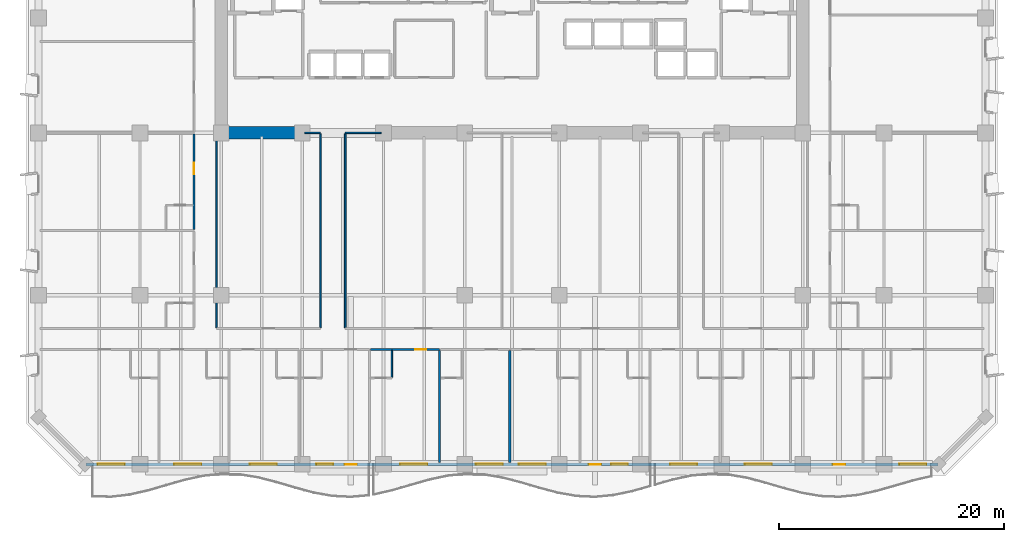
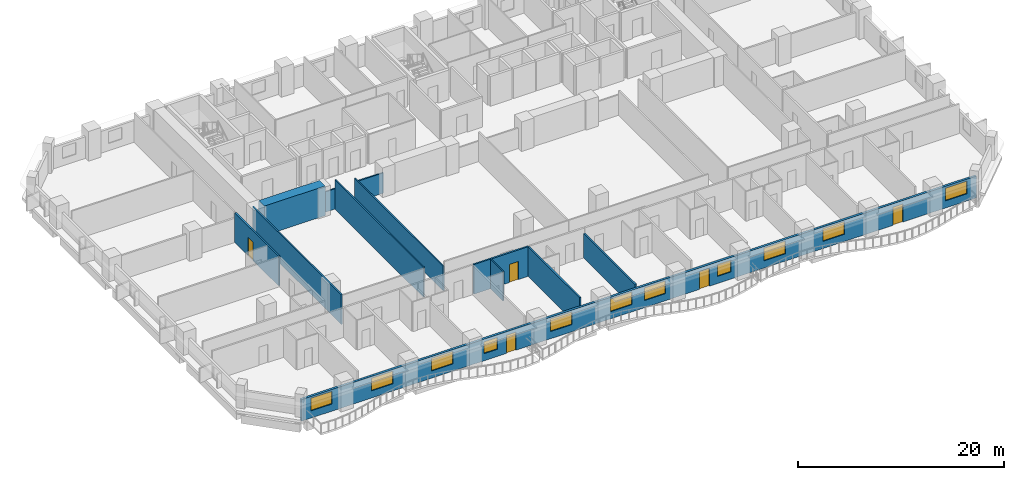
# One storey, part 5 of 15: 12 walls, 11 windows, 5 doors, 16 openings.
"""IFC4 building model written with IfcOpenShell, lengths in metres."""

import ifcopenshell
import ifcopenshell.guid

model = None  # the IFC model being written
_history = None  # IfcOwnerHistory: only IFC2X3 demands one
_inside = {}  # id of a spatial element -> (the spatial element, [elements in it])
_under = {}  # id of a project, library or spatial element -> (it, [spatial elements below it])
_declared = {}  # id of a project -> (the project, [libraries it declares])
_typed = {}  # id of a type object -> (the type object, [elements of that type])
_made_of = {}  # id of a material, layer set ... -> (it, [elements and type objects made of it])


def new_model(schema):
    """Start an empty IFC model of exactly this schema.

    Asked for "IFC4X3", IfcOpenShell would pick the latest addendum, in which some entities
    have other attributes; the version numbers below select the first issue.
    IFC2X3 requires an IfcOwnerHistory on every rooted entity: one is made here for all.
    """
    global model, _history
    if schema == "IFC4X3":
        model = ifcopenshell.file(schema_version=(4, 3, 0, 0))
    else:
        model = ifcopenshell.file(schema=schema)
    _inside.clear()
    _under.clear()
    _declared.clear()
    _typed.clear()
    _made_of.clear()
    _history = None
    if model.schema == "IFC2X3":
        org = make("IfcOrganization", Name="unknown")
        user = make(
            "IfcPersonAndOrganization",
            ThePerson=make("IfcPerson", FamilyName="unknown"),
            TheOrganization=org,
        )
        app = make(
            "IfcApplication",
            ApplicationDeveloper=org,
            Version="unknown",
            ApplicationFullName="unknown",
            ApplicationIdentifier="unknown",
        )
        _history = make(
            "IfcOwnerHistory",
            OwningUser=user,
            OwningApplication=app,
            ChangeAction="ADDED",
            CreationDate=0,
        )
    return model


def make(cls, **values):
    """One entity of the class cls with the attributes given. An attribute that is None is left unset."""
    return model.create_entity(
        cls, **{name: value for name, value in values.items() if value is not None}
    )


def rooted(cls, **values):
    """An entity with a GlobalId (a new one), such as an element, a storey or a relation."""
    return make(cls, GlobalId=ifcopenshell.guid.new(), OwnerHistory=_history, **values)


def si_unit(unit_type, name, prefix=None):
    """IfcSIUnit, for example si_unit("LENGTHUNIT", "METRE", prefix="MILLI")."""
    return make("IfcSIUnit", UnitType=unit_type, Prefix=prefix, Name=name)


def assignment(units):
    """IfcUnitAssignment: the units of a project."""
    return None if units is None else make("IfcUnitAssignment", Units=units)


def point(xyz):
    """IfcCartesianPoint."""
    return None if xyz is None else make("IfcCartesianPoint", Coordinates=xyz)


def direction(xyz):
    """IfcDirection."""
    return None if xyz is None else make("IfcDirection", DirectionRatios=xyz)


def frame(location, z_axis=None, x_axis=None):
    """IfcAxis2Placement3D, a coordinate frame: its origin and axes. An axis left out is left unset."""
    return make(
        "IfcAxis2Placement3D",
        Location=point(location),
        Axis=direction(z_axis),
        RefDirection=direction(x_axis),
    )


def frame_2d(location, x_axis=None):
    """IfcAxis2Placement2D, a coordinate frame in the plane: its origin and x axis."""
    return make(
        "IfcAxis2Placement2D", Location=point(location), RefDirection=direction(x_axis)
    )


def origin():
    """The frame at (0, 0, 0) with its axes left unset."""
    return frame((0.0, 0.0, 0.0))


def place(relative_to, where):
    """IfcLocalPlacement: puts the frame where relative to a parent placement (None: the world)."""
    return make(
        "IfcLocalPlacement", PlacementRelTo=relative_to, RelativePlacement=where
    )


def context(
    kind, dimensions, precision=None, world=None, true_north=None, identifier=None
):
    """IfcGeometricRepresentationContext, for example the 3D "Model" context."""
    return make(
        "IfcGeometricRepresentationContext",
        ContextIdentifier=identifier,
        ContextType=kind,
        CoordinateSpaceDimension=dimensions,
        Precision=precision,
        WorldCoordinateSystem=world,
        TrueNorth=true_north,
    )


def subcontext(parent, identifier, kind, view, scale=None):
    """IfcGeometricRepresentationSubContext, for example "Body" below "Model"."""
    return make(
        "IfcGeometricRepresentationSubContext",
        ContextIdentifier=identifier,
        ContextType=kind,
        ParentContext=parent,
        TargetScale=scale,
        TargetView=view,
    )


def project(units=None, contexts=None):
    """IfcProject with its units and contexts."""
    return rooted(
        "IfcProject",
        Name="project",
        RepresentationContexts=contexts,
        UnitsInContext=assignment(units),
    )


def spatial(cls, under=None, at=None, **own):
    """A site, building, storey or space (cls), placed at a placement, below another one or the project."""
    s = rooted(cls, ObjectPlacement=at, **own)
    if under is not None:
        _under.setdefault(under.id(), (under, []))[1].append(s)
    return s


def profile(cls, at=None, kind="AREA", **sizes):
    """A parametric profile (cls). Its sizes go by their IFC names, for example OverallWidth=200.0."""
    return make(cls, ProfileType=kind, Position=at, **sizes)


def rectangle(**sizes):
    """IfcRectangleProfileDef."""
    return profile("IfcRectangleProfileDef", **sizes)


def extrude(swept, where, along, depth):
    """IfcExtrudedAreaSolid: the profile swept, set in the frame where, extruded along a direction by depth."""
    return make(
        "IfcExtrudedAreaSolid",
        SweptArea=swept,
        Position=where,
        ExtrudedDirection=direction(along),
        Depth=depth,
    )


def shape(context_of_items, identifier, shape_type, items):
    """IfcShapeRepresentation: the items that make up one representation, for example the "Body"."""
    return make(
        "IfcShapeRepresentation",
        ContextOfItems=context_of_items,
        RepresentationIdentifier=identifier,
        RepresentationType=shape_type,
        Items=items,
    )


def material(Name=None, Category=None):
    """IfcMaterial."""
    return make("IfcMaterial", Name=Name, Category=Category)


def layer(
    of_material, thickness, ventilated=None, Name=None, Category=None, Priority=None
):
    """IfcMaterialLayer: one layer of a wall or slab, of a material (None: an air gap)."""
    return make(
        "IfcMaterialLayer",
        Material=of_material,
        LayerThickness=thickness,
        IsVentilated=ventilated,
        Name=Name,
        Category=Category,
        Priority=Priority,
    )


def layer_set(layers, Name=None):
    """IfcMaterialLayerSet."""
    return make("IfcMaterialLayerSet", MaterialLayers=layers, LayerSetName=Name)


def made_of(thing, what):
    """Note that an element or type object is made of a material, layer set ...; save() writes the relation."""
    if what is not None:
        _made_of.setdefault(what.id(), (what, []))[1].append(thing)
    return thing


def type_object(cls, material=None, **own):
    """A type object (cls), such as IfcWallType, which elements share."""
    return made_of(rooted(cls, **own), material)


def element(
    cls,
    number,
    at=None,
    inside=None,
    cuts=None,
    type_object=None,
    material=None,
    context=None,
    identifier="Body",
    shape_type=None,
    held_by="IfcProductDefinitionShape",
    body=None,
    shapes=None,
    **own,
):
    """One element of the class cls, such as IfcWall. Its Tag is "e" and its number.

    at: its placement. inside: the storey or other place that contains it. cuts: it is an
    opening in that element (IfcRelVoidsElement). A single representation is given by context,
    identifier, shape_type and body (its items); several are given by shapes. held_by: the class
    of the entity that holds the representations. save() writes the other relations.
    """
    e = rooted(cls, Tag="e%d" % number, ObjectPlacement=at, **own)
    if body is not None:
        shapes = [shape(context, identifier, shape_type, body)]
    if shapes is not None:
        e.Representation = make(held_by, Representations=shapes)
    if inside is not None:
        _inside.setdefault(inside.id(), (inside, []))[1].append(e)
    if cuts is not None:
        rooted(
            "IfcRelVoidsElement", RelatingBuildingElement=cuts, RelatedOpeningElement=e
        )
    if type_object is not None:
        _typed.setdefault(type_object.id(), (type_object, []))[1].append(e)
    return made_of(e, material)


def fill(opening, filler):
    """IfcRelFillsElement: the door or window that sits in an opening."""
    return rooted(
        "IfcRelFillsElement",
        RelatingOpeningElement=opening,
        RelatedBuildingElement=filler,
    )


def aggregate(whole, parts):
    """IfcRelAggregates: a whole, such as a stair, and the parts it consists of."""
    return rooted("IfcRelAggregates", RelatingObject=whole, RelatedObjects=parts)


def save(model, path):
    """Write the relations noted so far, then the file.

    IfcRelAggregates (storeys below a building ...), IfcRelContainedInSpatialStructure (elements
    in a storey), IfcRelDefinesByType, IfcRelAssociatesMaterial and IfcRelDeclares: one each for
    every whole, place, type object, material and project.
    """
    for whole, parts in _under.values():
        aggregate(whole, parts)
    for where, things in _inside.values():
        rooted(
            "IfcRelContainedInSpatialStructure",
            RelatedElements=things,
            RelatingStructure=where,
        )
    for kind, things in _typed.values():
        rooted("IfcRelDefinesByType", RelatedObjects=things, RelatingType=kind)
    for what, things in _made_of.values():
        rooted("IfcRelAssociatesMaterial", RelatedObjects=things, RelatingMaterial=what)
    for by, libraries in _declared.values():
        rooted("IfcRelDeclares", RelatingContext=by, RelatedDefinitions=libraries)
    model.write(path)


model = new_model("IFC4")

# Units and contexts
model_context = context("Model", 3, precision=1e-05, world=origin(), true_north=direction((0.0, 1.0)))
body_context = subcontext(model_context, "Body", "Model", "MODEL_VIEW")
ifc_project = project(units=[si_unit("LENGTHUNIT", "METRE"), si_unit("AREAUNIT", "SQUARE_METRE"), si_unit("VOLUMEUNIT", "CUBIC_METRE"), si_unit("PLANEANGLEUNIT", "RADIAN"), si_unit("MASSUNIT", "GRAM", prefix="KILO")], contexts=[model_context])

# Site, building, storey
site_placement = place(None, origin())
site = spatial("IfcSite", under=ifc_project, at=site_placement, CompositionType="ELEMENT")
building_placement = place(site_placement, origin())
building = spatial("IfcBuilding", under=site, at=building_placement, Name="Kaelvorn Grand Hotel", CompositionType="ELEMENT")
storey_placement = place(building_placement, frame((0.0, 0.0, 46.39990234375)))
storey = spatial("IfcBuildingStorey", under=building, at=storey_placement, Name="L09", CompositionType="ELEMENT", Elevation=46.39990234375)

# Wall
ifc_material_1 = material(Name="Concrete C80/95", Category="concrete")
ifc_layer_1 = layer(ifc_material_1, 1.10009765625)
ifc_layer_set_1 = layer_set([ifc_layer_1], Name="Concrete C80/95")
wall_type_1 = type_object("IfcWallType", Name="WL-CORE-1100-C80", PredefinedType="SHEAR", material=ifc_layer_set_1)
wall_1_placement = place(storey_placement, frame((16.7548828125, 29.39990234375, 0.0), z_axis=(0.0, 0.0, 1.0), x_axis=(1.0, 0.0, 0.0)))
element("IfcWall", 1, at=wall_1_placement, inside=storey, type_object=wall_type_1, Name="L09 Rear-Core Coupled Shear Pier S1", PredefinedType="SHEAR", context=body_context, shape_type="SweptSolid", body=[
    extrude(rectangle(XDim=6.84521484375, YDim=1.10009765625, at=frame_2d((3.422607421875, 0.0))), origin(), (0.0, 0.0, 1.0), 3.510009765625),
])

# Wall, openings, doors, windows
ifc_material_2 = material(Name="Concrete C40/50", Category="concrete")
ifc_layer_2 = layer(ifc_material_2, 0.260009765625)
ifc_layer_set_2 = layer_set([ifc_layer_2], Name="Concrete C40/50")
wall_type_2 = type_object("IfcWallType", Name="WL-EXT-260-C40", PredefinedType="SOLIDWALL", material=ifc_layer_set_2)
wall_2_placement = place(storey_placement, frame((4.199951171875, 0.0, 0.0), z_axis=(0.0, 0.0, 1.0), x_axis=(1.0, 0.0, 0.0)))
wall_2 = element("IfcWall", 2, at=wall_2_placement, inside=storey, type_object=wall_type_2, Name="L09 Exterior Architectural Concrete Wall 01", PredefinedType="SOLIDWALL", context=body_context, shape_type="SweptSolid", body=[
    extrude(rectangle(XDim=75.60009765625, YDim=0.260009765625, at=frame_2d((37.800048828125, 0.0))), origin(), (0.0, 0.0, 1.0), 2.56005859375),
])
opening_1_placement = place(wall_2_placement, frame((22.94775390625, 0.0, 0.0)))
opening_1 = element("IfcOpeningElement", 3, at=opening_1_placement, cuts=wall_2, Name="Opening DE2", PredefinedType="OPENING", context=body_context, shape_type="SweptSolid", body=[
    extrude(rectangle(XDim=1.10009765625, YDim=2.14990234375, at=frame_2d((0.550048828125, 1.074951171875))), frame((0.0, 0.14013671875, 0.0), z_axis=(0.0, -1.0, 0.0), x_axis=(1.0, 0.0, 0.0)), (0.0, 0.0, 1.0), 0.280029296875),
])
opening_2_placement = place(wall_2_placement, frame((44.610107421875, 0.0, 0.0)))
opening_2 = element("IfcOpeningElement", 4, at=opening_2_placement, cuts=wall_2, Name="Opening DE2", PredefinedType="OPENING", context=body_context, shape_type="SweptSolid", body=[
    extrude(rectangle(XDim=1.10009765625, YDim=2.14990234375, at=frame_2d((0.550048828125, 1.074951171875))), frame((0.0, 0.14013671875, 0.0), z_axis=(0.0, -1.0, 0.0), x_axis=(1.0, 0.0, 0.0)), (0.0, 0.0, 1.0), 0.280029296875),
])
opening_3_placement = place(wall_2_placement, frame((66.272216796875, 0.0, 0.0)))
opening_3 = element("IfcOpeningElement", 5, at=opening_3_placement, cuts=wall_2, Name="Opening DE2", PredefinedType="OPENING", context=body_context, shape_type="SweptSolid", body=[
    extrude(rectangle(XDim=1.10009765625, YDim=2.14990234375, at=frame_2d((0.550048828125, 1.074951171875))), frame((0.0, 0.14013671875, 0.0), z_axis=(0.0, -1.0, 0.0), x_axis=(1.0, 0.0, 0.0)), (0.0, 0.0, 1.0), 0.280029296875),
])
opening_4_placement = place(wall_2_placement, frame((1.034912109375, 0.0, 0.85009765625)))
opening_4 = element("IfcOpeningElement", 6, at=opening_4_placement, cuts=wall_2, Name="Opening W6", PredefinedType="OPENING", context=body_context, shape_type="SweptSolid", body=[
    extrude(rectangle(XDim=2.39990234375, YDim=1.5, at=frame_2d((1.199951171875, 0.75))), frame((0.0, 0.14013671875, 0.0), z_axis=(0.0, -1.0, 0.0), x_axis=(1.0, 0.0, 0.0)), (0.0, 0.0, 1.0), 0.280029296875),
])
opening_5_placement = place(wall_2_placement, frame((7.83740234375, 0.0, 0.85009765625)))
opening_5 = element("IfcOpeningElement", 7, at=opening_5_placement, cuts=wall_2, Name="Opening W6", PredefinedType="OPENING", context=body_context, shape_type="SweptSolid", body=[
    extrude(rectangle(XDim=2.39990234375, YDim=1.5, at=frame_2d((1.199951171875, 0.75))), frame((0.0, 0.14013671875, 0.0), z_axis=(0.0, -1.0, 0.0), x_axis=(1.0, 0.0, 0.0)), (0.0, 0.0, 1.0), 0.280029296875),
])
opening_6_placement = place(wall_2_placement, frame((14.550048828125, 0.0, 0.85009765625)))
opening_6 = element("IfcOpeningElement", 8, at=opening_6_placement, cuts=wall_2, Name="Opening W6", PredefinedType="OPENING", context=body_context, shape_type="SweptSolid", body=[
    extrude(rectangle(XDim=2.39990234375, YDim=1.5, at=frame_2d((1.199951171875, 0.75))), frame((0.0, 0.14013671875, 0.0), z_axis=(0.0, -1.0, 0.0), x_axis=(1.0, 0.0, 0.0)), (0.0, 0.0, 1.0), 0.280029296875),
])
opening_7_placement = place(wall_2_placement, frame((20.43896484375, 0.0, 0.85009765625)))
opening_7 = element("IfcOpeningElement", 9, at=opening_7_placement, cuts=wall_2, Name="Opening W10", PredefinedType="OPENING", context=body_context, shape_type="SweptSolid", body=[
    extrude(rectangle(XDim=1.5, YDim=1.39990234375, at=frame_2d((0.75, 0.699951171875))), frame((0.0, 0.14013671875, 0.0), z_axis=(0.0, -1.0, 0.0), x_axis=(1.0, 0.0, 0.0)), (0.0, 0.0, 1.0), 0.280029296875),
])
opening_8_placement = place(wall_2_placement, frame((27.886962890625, 0.0, 0.85009765625)))
opening_8 = element("IfcOpeningElement", 10, at=opening_8_placement, cuts=wall_2, Name="Opening W6", PredefinedType="OPENING", context=body_context, shape_type="SweptSolid", body=[
    extrude(rectangle(XDim=2.39990234375, YDim=1.5, at=frame_2d((1.199951171875, 0.75))), frame((0.0, 0.14013671875, 0.0), z_axis=(0.0, -1.0, 0.0), x_axis=(1.0, 0.0, 0.0)), (0.0, 0.0, 1.0), 0.280029296875),
])
opening_9_placement = place(wall_2_placement, frame((34.599609375, 0.0, 0.85009765625)))
opening_9 = element("IfcOpeningElement", 11, at=opening_9_placement, cuts=wall_2, Name="Opening W6", PredefinedType="OPENING", context=body_context, shape_type="SweptSolid", body=[
    extrude(rectangle(XDim=2.39990234375, YDim=1.5, at=frame_2d((1.199951171875, 0.75))), frame((0.0, 0.14013671875, 0.0), z_axis=(0.0, -1.0, 0.0), x_axis=(1.0, 0.0, 0.0)), (0.0, 0.0, 1.0), 0.280029296875),
])
opening_10_placement = place(wall_2_placement, frame((38.3994140625, 0.0, 0.85009765625)))
opening_10 = element("IfcOpeningElement", 12, at=opening_10_placement, cuts=wall_2, Name="Opening W6", PredefinedType="OPENING", context=body_context, shape_type="SweptSolid", body=[
    extrude(rectangle(XDim=2.39990234375, YDim=1.5, at=frame_2d((1.199951171875, 0.75))), frame((0.0, 0.14013671875, 0.0), z_axis=(0.0, -1.0, 0.0), x_axis=(1.0, 0.0, 0.0)), (0.0, 0.0, 1.0), 0.280029296875),
])
opening_11_placement = place(wall_2_placement, frame((46.590087890625, 0.0, 0.85009765625)))
opening_11 = element("IfcOpeningElement", 13, at=opening_11_placement, cuts=wall_2, Name="Opening W10", PredefinedType="OPENING", context=body_context, shape_type="SweptSolid", body=[
    extrude(rectangle(XDim=1.5, YDim=1.39990234375, at=frame_2d((0.75, 0.699951171875))), frame((0.0, 0.14013671875, 0.0), z_axis=(0.0, -1.0, 0.0), x_axis=(1.0, 0.0, 0.0)), (0.0, 0.0, 1.0), 0.280029296875),
])
opening_12_placement = place(wall_2_placement, frame((51.824462890625, 0.0, 0.85009765625)))
opening_12 = element("IfcOpeningElement", 14, at=opening_12_placement, cuts=wall_2, Name="Opening W6", PredefinedType="OPENING", context=body_context, shape_type="SweptSolid", body=[
    extrude(rectangle(XDim=2.39990234375, YDim=1.5, at=frame_2d((1.199951171875, 0.75))), frame((0.0, 0.14013671875, 0.0), z_axis=(0.0, -1.0, 0.0), x_axis=(1.0, 0.0, 0.0)), (0.0, 0.0, 1.0), 0.280029296875),
])
opening_13_placement = place(wall_2_placement, frame((58.449462890625, 0.0, 0.85009765625)))
opening_13 = element("IfcOpeningElement", 15, at=opening_13_placement, cuts=wall_2, Name="Opening W6", PredefinedType="OPENING", context=body_context, shape_type="SweptSolid", body=[
    extrude(rectangle(XDim=2.39990234375, YDim=1.5, at=frame_2d((1.199951171875, 0.75))), frame((0.0, 0.14013671875, 0.0), z_axis=(0.0, -1.0, 0.0), x_axis=(1.0, 0.0, 0.0)), (0.0, 0.0, 1.0), 0.280029296875),
])
opening_14_placement = place(wall_2_placement, frame((72.1650390625, 0.0, 0.85009765625)))
opening_14 = element("IfcOpeningElement", 16, at=opening_14_placement, cuts=wall_2, Name="Opening W6", PredefinedType="OPENING", context=body_context, shape_type="SweptSolid", body=[
    extrude(rectangle(XDim=2.39990234375, YDim=1.5, at=frame_2d((1.199951171875, 0.75))), frame((0.0, 0.14013671875, 0.0), z_axis=(0.0, -1.0, 0.0), x_axis=(1.0, 0.0, 0.0)), (0.0, 0.0, 1.0), 0.280029296875),
])
ifc_material_3 = material(Name="Anodised Aluminium", Category="aluminium")
door_type_1 = type_object("IfcDoorType", Name="DR-EXT-BALC-1100x2150", OperationType="NOTDEFINED", PredefinedType="DOOR", material=ifc_material_3)
door_1_placement = place(opening_1_placement, origin())
door_1 = element("IfcDoor", 17, at=door_1_placement, inside=storey, type_object=door_type_1, Name="L09 Scalloped Balcony Glazed Door DE2-1", OperationType="SINGLE_SWING_RIGHT", OverallHeight=2.14990234375, OverallWidth=1.10009765625, PredefinedType="DOOR", context=body_context, shape_type="SweptSolid", body=[
    extrude(rectangle(XDim=1.10009765625, YDim=2.14990234375, at=frame_2d((0.550048828125, 1.074951171875))), frame((0.0, 0.02490234375, 0.0), z_axis=(0.0, -1.0, 0.0), x_axis=(1.0, 0.0, 0.0)), (0.0, 0.0, 1.0), 0.050048828125),
])
fill(opening_1, door_1)
door_2_placement = place(opening_2_placement, origin())
door_2 = element("IfcDoor", 18, at=door_2_placement, inside=storey, type_object=door_type_1, Name="L09 Scalloped Balcony Glazed Door DE2-2", OperationType="SINGLE_SWING_LEFT", OverallHeight=2.14990234375, OverallWidth=1.10009765625, PredefinedType="DOOR", context=body_context, shape_type="SweptSolid", body=[
    extrude(rectangle(XDim=1.10009765625, YDim=2.14990234375, at=frame_2d((0.550048828125, 1.074951171875))), frame((0.0, 0.02490234375, 0.0), z_axis=(0.0, -1.0, 0.0), x_axis=(1.0, 0.0, 0.0)), (0.0, 0.0, 1.0), 0.050048828125),
])
fill(opening_2, door_2)
door_3_placement = place(opening_3_placement, origin())
door_3 = element("IfcDoor", 19, at=door_3_placement, inside=storey, type_object=door_type_1, Name="L09 Scalloped Balcony Glazed Door DE2-3", OperationType="SINGLE_SWING_RIGHT", OverallHeight=2.14990234375, OverallWidth=1.10009765625, PredefinedType="DOOR", context=body_context, shape_type="SweptSolid", body=[
    extrude(rectangle(XDim=1.10009765625, YDim=2.14990234375, at=frame_2d((0.550048828125, 1.074951171875))), frame((0.0, 0.02490234375, 0.0), z_axis=(0.0, -1.0, 0.0), x_axis=(1.0, 0.0, 0.0)), (0.0, 0.0, 1.0), 0.050048828125),
])
fill(opening_3, door_3)
ifc_material_4 = material(Name="Laminated Low-E Glass", Category="glass")
window_type_1 = type_object("IfcWindowType", Name="WIN-COR-1500x1400", PartitioningType="SINGLE_PANEL", PredefinedType="WINDOW", material=ifc_material_4)
window_1_placement = place(opening_7_placement, origin())
window_1 = element("IfcWindow", 20, at=window_1_placement, inside=storey, type_object=window_type_1, Name="L09 South Guestroom Ribbon Window SR04", OverallHeight=1.39990234375, OverallWidth=1.5, PartitioningType="SINGLE_PANEL", PredefinedType="WINDOW", context=body_context, shape_type="SweptSolid", body=[
    extrude(rectangle(XDim=1.5, YDim=1.39990234375, at=frame_2d((0.75, 0.699951171875))), frame((0.0, 0.030029296875, 0.0), z_axis=(0.0, -1.0, 0.0), x_axis=(1.0, 0.0, 0.0)), (0.0, 0.0, 1.0), 0.06005859375),
])
fill(opening_7, window_1)
window_2_placement = place(opening_11_placement, origin())
window_2 = element("IfcWindow", 21, at=window_2_placement, inside=storey, type_object=window_type_1, Name="L09 South Guestroom Ribbon Window SR08", OverallHeight=1.39990234375, OverallWidth=1.5, PartitioningType="SINGLE_PANEL", PredefinedType="WINDOW", context=body_context, shape_type="SweptSolid", body=[
    extrude(rectangle(XDim=1.5, YDim=1.39990234375, at=frame_2d((0.75, 0.699951171875))), frame((0.0, 0.030029296875, 0.0), z_axis=(0.0, -1.0, 0.0), x_axis=(1.0, 0.0, 0.0)), (0.0, 0.0, 1.0), 0.06005859375),
])
fill(opening_11, window_2)
window_type_2 = type_object("IfcWindowType", Name="WIN-NTH-2400x1500", PartitioningType="SINGLE_PANEL", PredefinedType="WINDOW", material=ifc_material_4)
window_3_placement = place(opening_4_placement, origin())
window_3 = element("IfcWindow", 22, at=window_3_placement, inside=storey, type_object=window_type_2, Name="L09 South Guestroom Ribbon Window SR01", OverallHeight=1.5, OverallWidth=2.39990234375, PartitioningType="SINGLE_PANEL", PredefinedType="WINDOW", context=body_context, shape_type="SweptSolid", body=[
    extrude(rectangle(XDim=2.39990234375, YDim=1.5, at=frame_2d((1.199951171875, 0.75))), frame((0.0, 0.030029296875, 0.0), z_axis=(0.0, -1.0, 0.0), x_axis=(1.0, 0.0, 0.0)), (0.0, 0.0, 1.0), 0.06005859375),
])
fill(opening_4, window_3)
window_4_placement = place(opening_5_placement, origin())
window_4 = element("IfcWindow", 23, at=window_4_placement, inside=storey, type_object=window_type_2, Name="L09 South Guestroom Ribbon Window SR02", OverallHeight=1.5, OverallWidth=2.39990234375, PartitioningType="SINGLE_PANEL", PredefinedType="WINDOW", context=body_context, shape_type="SweptSolid", body=[
    extrude(rectangle(XDim=2.39990234375, YDim=1.5, at=frame_2d((1.199951171875, 0.75))), frame((0.0, 0.030029296875, 0.0), z_axis=(0.0, -1.0, 0.0), x_axis=(1.0, 0.0, 0.0)), (0.0, 0.0, 1.0), 0.06005859375),
])
fill(opening_5, window_4)
window_5_placement = place(opening_6_placement, origin())
window_5 = element("IfcWindow", 24, at=window_5_placement, inside=storey, type_object=window_type_2, Name="L09 South Guestroom Ribbon Window SR03", OverallHeight=1.5, OverallWidth=2.39990234375, PartitioningType="SINGLE_PANEL", PredefinedType="WINDOW", context=body_context, shape_type="SweptSolid", body=[
    extrude(rectangle(XDim=2.39990234375, YDim=1.5, at=frame_2d((1.199951171875, 0.75))), frame((0.0, 0.030029296875, 0.0), z_axis=(0.0, -1.0, 0.0), x_axis=(1.0, 0.0, 0.0)), (0.0, 0.0, 1.0), 0.06005859375),
])
fill(opening_6, window_5)
window_6_placement = place(opening_8_placement, origin())
window_6 = element("IfcWindow", 25, at=window_6_placement, inside=storey, type_object=window_type_2, Name="L09 South Guestroom Ribbon Window SR05", OverallHeight=1.5, OverallWidth=2.39990234375, PartitioningType="SINGLE_PANEL", PredefinedType="WINDOW", context=body_context, shape_type="SweptSolid", body=[
    extrude(rectangle(XDim=2.39990234375, YDim=1.5, at=frame_2d((1.199951171875, 0.75))), frame((0.0, 0.030029296875, 0.0), z_axis=(0.0, -1.0, 0.0), x_axis=(1.0, 0.0, 0.0)), (0.0, 0.0, 1.0), 0.06005859375),
])
fill(opening_8, window_6)
window_7_placement = place(opening_9_placement, origin())
window_7 = element("IfcWindow", 26, at=window_7_placement, inside=storey, type_object=window_type_2, Name="L09 South Guestroom Ribbon Window SR06", OverallHeight=1.5, OverallWidth=2.39990234375, PartitioningType="SINGLE_PANEL", PredefinedType="WINDOW", context=body_context, shape_type="SweptSolid", body=[
    extrude(rectangle(XDim=2.39990234375, YDim=1.5, at=frame_2d((1.199951171875, 0.75))), frame((0.0, 0.030029296875, 0.0), z_axis=(0.0, -1.0, 0.0), x_axis=(1.0, 0.0, 0.0)), (0.0, 0.0, 1.0), 0.06005859375),
])
fill(opening_9, window_7)
window_8_placement = place(opening_10_placement, origin())
window_8 = element("IfcWindow", 27, at=window_8_placement, inside=storey, type_object=window_type_2, Name="L09 South Guestroom Ribbon Window SR07", OverallHeight=1.5, OverallWidth=2.39990234375, PartitioningType="SINGLE_PANEL", PredefinedType="WINDOW", context=body_context, shape_type="SweptSolid", body=[
    extrude(rectangle(XDim=2.39990234375, YDim=1.5, at=frame_2d((1.199951171875, 0.75))), frame((0.0, 0.030029296875, 0.0), z_axis=(0.0, -1.0, 0.0), x_axis=(1.0, 0.0, 0.0)), (0.0, 0.0, 1.0), 0.06005859375),
])
fill(opening_10, window_8)
window_9_placement = place(opening_12_placement, origin())
window_9 = element("IfcWindow", 28, at=window_9_placement, inside=storey, type_object=window_type_2, Name="L09 South Guestroom Ribbon Window SR09", OverallHeight=1.5, OverallWidth=2.39990234375, PartitioningType="SINGLE_PANEL", PredefinedType="WINDOW", context=body_context, shape_type="SweptSolid", body=[
    extrude(rectangle(XDim=2.39990234375, YDim=1.5, at=frame_2d((1.199951171875, 0.75))), frame((0.0, 0.030029296875, 0.0), z_axis=(0.0, -1.0, 0.0), x_axis=(1.0, 0.0, 0.0)), (0.0, 0.0, 1.0), 0.06005859375),
])
fill(opening_12, window_9)
window_10_placement = place(opening_13_placement, origin())
window_10 = element("IfcWindow", 29, at=window_10_placement, inside=storey, type_object=window_type_2, Name="L09 South Guestroom Ribbon Window SR10", OverallHeight=1.5, OverallWidth=2.39990234375, PartitioningType="SINGLE_PANEL", PredefinedType="WINDOW", context=body_context, shape_type="SweptSolid", body=[
    extrude(rectangle(XDim=2.39990234375, YDim=1.5, at=frame_2d((1.199951171875, 0.75))), frame((0.0, 0.030029296875, 0.0), z_axis=(0.0, -1.0, 0.0), x_axis=(1.0, 0.0, 0.0)), (0.0, 0.0, 1.0), 0.06005859375),
])
fill(opening_13, window_10)
window_11_placement = place(opening_14_placement, origin())
window_11 = element("IfcWindow", 30, at=window_11_placement, inside=storey, type_object=window_type_2, Name="L09 South Guestroom Ribbon Window SR11", OverallHeight=1.5, OverallWidth=2.39990234375, PartitioningType="SINGLE_PANEL", PredefinedType="WINDOW", context=body_context, shape_type="SweptSolid", body=[
    extrude(rectangle(XDim=2.39990234375, YDim=1.5, at=frame_2d((1.199951171875, 0.75))), frame((0.0, 0.030029296875, 0.0), z_axis=(0.0, -1.0, 0.0), x_axis=(1.0, 0.0, 0.0)), (0.0, 0.0, 1.0), 0.06005859375),
])
fill(opening_14, window_11)

# Walls
ifc_material_5 = material(Name="Moisture-Resistant Tile & Stud Board")
ifc_layer_3 = layer(ifc_material_5, 0.125)
ifc_layer_set_3 = layer_set([ifc_layer_3], Name="Moisture-Resistant Tile & Stud Board")
wall_type_3 = type_object("IfcWallType", Name="WL-PART-125-WET", PredefinedType="PARTITIONING", material=ifc_layer_set_3)
wall_3_placement = place(storey_placement, frame((31.349609375, 7.717529296875, 0.0), z_axis=(0.0, 0.0, 1.0), x_axis=(0.0, 1.0, 0.0)))
element("IfcWall", 31, at=wall_3_placement, inside=storey, type_object=wall_type_3, Name="L09 En-suite Bathroom L09-05 E Partition", PredefinedType="PARTITIONING", context=body_context, shape_type="SweptSolid", body=[
    extrude(rectangle(XDim=2.387451171875, YDim=0.125, at=frame_2d((1.19384765625, 0.0))), origin(), (0.0, 0.0, 1.0), 3.510009765625),
])
ifc_material_6 = material(Name="Acoustic Gypsum & Stud Partition")
ifc_layer_4 = layer(ifc_material_6, 0.14990234375)
ifc_layer_set_4 = layer_set([ifc_layer_4], Name="Acoustic Gypsum & Stud Partition")
wall_type_4 = type_object("IfcWallType", Name="WL-PART-150-EI60", PredefinedType="PARTITIONING", material=ifc_layer_set_4)
wall_4_placement = place(storey_placement, frame((23.610107421875, 29.39990234375, 0.0), z_axis=(0.0, 0.0, 1.0), x_axis=(1.0, 0.0, 0.0)))
element("IfcWall", 32, at=wall_4_placement, inside=storey, type_object=wall_type_4, Name="L09 Private Dining Restaurant N Partition", PredefinedType="PARTITIONING", context=body_context, shape_type="SweptSolid", body=[
    extrude(rectangle(XDim=1.389892578125, YDim=0.14990234375, at=frame_2d((0.69482421875, 0.0))), origin(), (0.0, 0.0, 1.0), 2.41015625),
])
wall_5_placement = place(storey_placement, frame((15.800048828125, 12.1298828125, 0.0), z_axis=(0.0, 0.0, 1.0), x_axis=(0.0, 1.0, 0.0)))
element("IfcWall", 33, at=wall_5_placement, inside=storey, type_object=wall_type_4, Name="L09 Private Dining Restaurant W Partition", PredefinedType="PARTITIONING", context=body_context, shape_type="SweptSolid", body=[
    extrude(rectangle(XDim=17.260009765625, YDim=0.14990234375, at=frame_2d((8.6298828125, 0.0))), origin(), (0.0, 0.0, 1.0), 3.510009765625),
])
wall_6_placement = place(storey_placement, frame((25.0, 12.1298828125, 0.0), z_axis=(0.0, 0.0, 1.0), x_axis=(0.0, 1.0, 0.0)))
element("IfcWall", 34, at=wall_6_placement, inside=storey, type_object=wall_type_4, Name="L09 Private Dining Restaurant E Partition", PredefinedType="PARTITIONING", context=body_context, shape_type="SweptSolid", body=[
    extrude(rectangle(XDim=17.190185546875, YDim=0.14990234375, at=frame_2d((8.59521484375, 0.0))), origin(), (0.0, 0.0, 1.0), 3.510009765625),
])
wall_7_placement = place(storey_placement, frame((27.199951171875, 29.39990234375, 0.0), z_axis=(0.0, 0.0, 1.0), x_axis=(1.0, 0.0, 0.0)))
element("IfcWall", 35, at=wall_7_placement, inside=storey, type_object=wall_type_4, Name="L09 Hospitality Tea Kitchen N Partition (1)", PredefinedType="PARTITIONING", context=body_context, shape_type="SweptSolid", body=[
    extrude(rectangle(XDim=3.18994140625, YDim=0.14990234375, at=frame_2d((1.594970703125, 0.0))), origin(), (0.0, 0.0, 1.0), 2.41015625),
])
wall_8_placement = place(storey_placement, frame((27.199951171875, 12.1298828125, 0.0), z_axis=(0.0, 0.0, 1.0), x_axis=(0.0, 1.0, 0.0)))
element("IfcWall", 36, at=wall_8_placement, inside=storey, type_object=wall_type_4, Name="L09 Hospitality Tea Kitchen W Partition", PredefinedType="PARTITIONING", context=body_context, shape_type="SweptSolid", body=[
    extrude(rectangle(XDim=17.190185546875, YDim=0.14990234375, at=frame_2d((8.59521484375, 0.0))), origin(), (0.0, 0.0, 1.0), 2.89794921875),
])

# Wall, opening, door
ifc_layer_5 = layer(ifc_material_6, 0.179931640625)
ifc_layer_set_5 = layer_set([ifc_layer_5], Name="Acoustic Gypsum & Stud Partition")
wall_type_5 = type_object("IfcWallType", Name="WL-PART-180-EI60", PredefinedType="PARTITIONING", material=ifc_layer_set_5)
wall_9_placement = place(storey_placement, frame((29.444580078125, 10.199951171875, 0.0), z_axis=(0.0, 0.0, 1.0), x_axis=(1.0, 0.0, 0.0)))
wall_9 = element("IfcWall", 37, at=wall_9_placement, inside=storey, type_object=wall_type_5, Name="L09 Deluxe Panoramic Suite L09-05 N Partition", PredefinedType="PARTITIONING", context=body_context, shape_type="SweptSolid", body=[
    extrude(rectangle(XDim=6.129638671875, YDim=0.179931640625, at=frame_2d((3.06494140625, 0.0))), origin(), (0.0, 0.0, 1.0), 3.510009765625),
])
opening_15_placement = place(wall_9_placement, frame((3.96728515625, 0.0, 0.0)))
opening_15 = element("IfcOpeningElement", 38, at=opening_15_placement, cuts=wall_9, Name="Opening DI3", PredefinedType="OPENING", context=body_context, shape_type="SweptSolid", body=[
    extrude(rectangle(XDim=1.0, YDim=2.14990234375, at=frame_2d((0.5, 1.074951171875))), frame((0.0, 0.10009765625, 0.0), z_axis=(0.0, -1.0, 0.0), x_axis=(1.0, 0.0, 0.0)), (0.0, 0.0, 1.0), 0.199951171875),
])
ifc_material_7 = material(Name="Timber Veneer Fire Leaf", Category="wood")
door_type_2 = type_object("IfcDoorType", Name="DR-INT-GUEST-1000x2150", OperationType="NOTDEFINED", PredefinedType="DOOR", material=ifc_material_7)
door_4_placement = place(opening_15_placement, origin())
door_4 = element("IfcDoor", 39, at=door_4_placement, inside=storey, type_object=door_type_2, Name="L09 Deluxe Panoramic Suite L09-05 Door", OperationType="SINGLE_SWING_LEFT", OverallHeight=2.14990234375, OverallWidth=1.0, PredefinedType="DOOR", context=body_context, shape_type="SweptSolid", body=[
    extrude(rectangle(XDim=1.0, YDim=2.14990234375, at=frame_2d((0.5, 1.074951171875))), frame((0.0, 0.02490234375, 0.0), z_axis=(0.0, -1.0, 0.0), x_axis=(1.0, 0.0, 0.0)), (0.0, 0.0, 1.0), 0.050048828125),
])
fill(opening_15, door_4)

# Walls
wall_10_placement = place(storey_placement, frame((35.57421875, 0.14990234375, 0.0), z_axis=(0.0, 0.0, 1.0), x_axis=(0.0, 1.0, 0.0)))
element("IfcWall", 40, at=wall_10_placement, inside=storey, type_object=wall_type_5, Name="L09 Deluxe Panoramic Suite L09-05 E Partition", PredefinedType="PARTITIONING", context=body_context, shape_type="SweptSolid", body=[
    extrude(rectangle(XDim=9.955078125, YDim=0.179931640625, at=frame_2d((4.9775390625, 0.0))), origin(), (0.0, 0.0, 1.0), 3.510009765625),
])
wall_11_placement = place(storey_placement, frame((41.79931640625, 0.14990234375, 0.0), z_axis=(0.0, 0.0, 1.0), x_axis=(0.0, 1.0, 0.0)))
element("IfcWall", 41, at=wall_11_placement, inside=storey, type_object=wall_type_5, Name="L09 Deluxe King Guest Room L09-06 E Partition", PredefinedType="PARTITIONING", context=body_context, shape_type="SweptSolid", body=[
    extrude(rectangle(XDim=9.955078125, YDim=0.179931640625, at=frame_2d((4.9775390625, 0.0))), origin(), (0.0, 0.0, 1.0), 2.89794921875),
])

# Wall, opening, door
wall_12_placement = place(storey_placement, frame((13.800048828125, 20.824951171875, 0.0), z_axis=(0.0, 0.0, 1.0), x_axis=(0.0, 1.0, 0.0)))
wall_12 = element("IfcWall", 42, at=wall_12_placement, inside=storey, type_object=wall_type_5, Name="L09 West Mid-Wing Suite L09-14 E Partition", PredefinedType="PARTITIONING", context=body_context, shape_type="SweptSolid", body=[
    extrude(rectangle(XDim=8.47998046875, YDim=0.179931640625, at=frame_2d((4.239990234375, 0.0))), origin(), (0.0, 0.0, 1.0), 3.510009765625),
])
opening_16_placement = place(wall_12_placement, frame((4.925048828125, 0.0, 0.0)))
opening_16 = element("IfcOpeningElement", 43, at=opening_16_placement, cuts=wall_12, Name="Opening DI3", PredefinedType="OPENING", context=body_context, shape_type="SweptSolid", body=[
    extrude(rectangle(XDim=1.0, YDim=2.14990234375, at=frame_2d((0.5, 1.074951171875))), frame((0.0, 0.10009765625, 0.0), z_axis=(0.0, -1.0, 0.0), x_axis=(1.0, 0.0, 0.0)), (0.0, 0.0, 1.0), 0.199951171875),
])
door_5_placement = place(opening_16_placement, origin())
door_5 = element("IfcDoor", 44, at=door_5_placement, inside=storey, type_object=door_type_2, Name="L09 West Mid-Wing Suite L09-14 Door", OperationType="SINGLE_SWING_LEFT", OverallHeight=2.14990234375, OverallWidth=1.0, PredefinedType="DOOR", context=body_context, shape_type="SweptSolid", body=[
    extrude(rectangle(XDim=1.0, YDim=2.14990234375, at=frame_2d((0.5, 1.074951171875))), frame((0.0, 0.02490234375, 0.0), z_axis=(0.0, -1.0, 0.0), x_axis=(1.0, 0.0, 0.0)), (0.0, 0.0, 1.0), 0.050048828125),
])
fill(opening_16, door_5)

save(model, "model.ifc")
